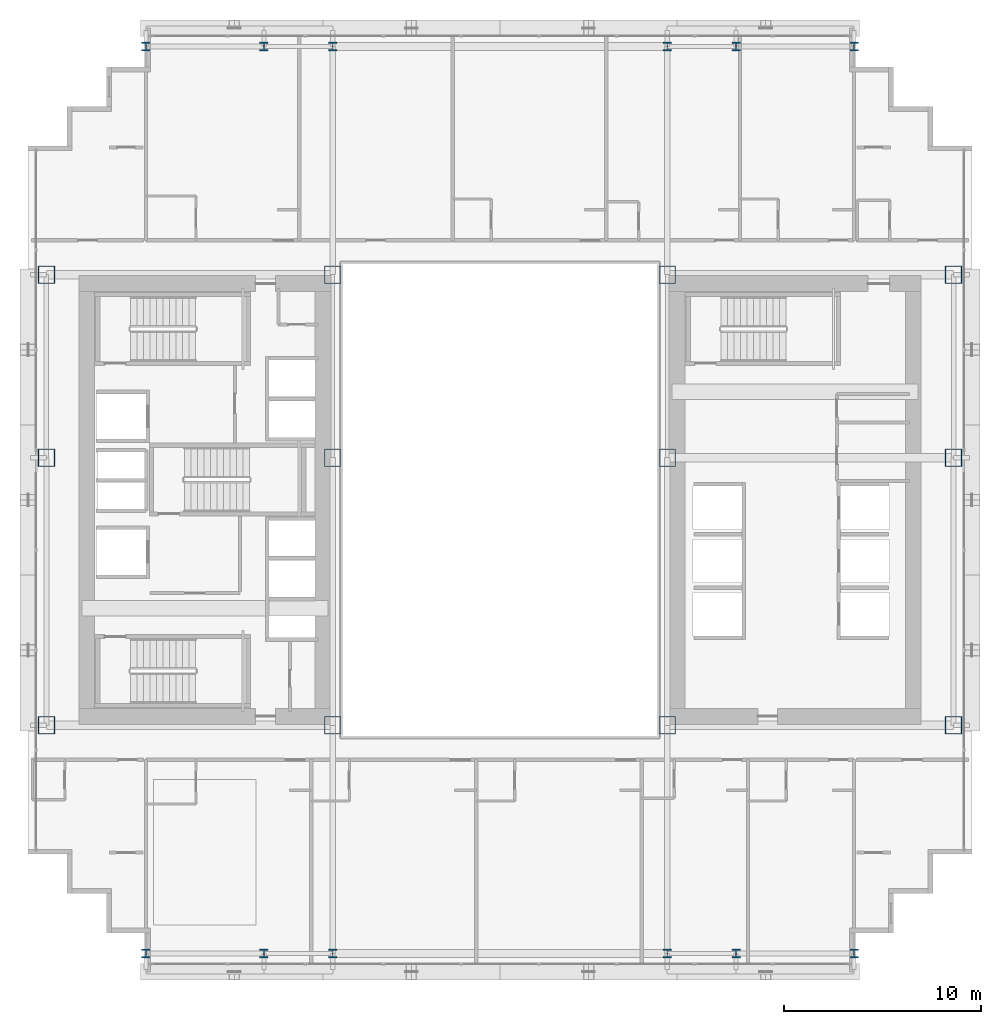
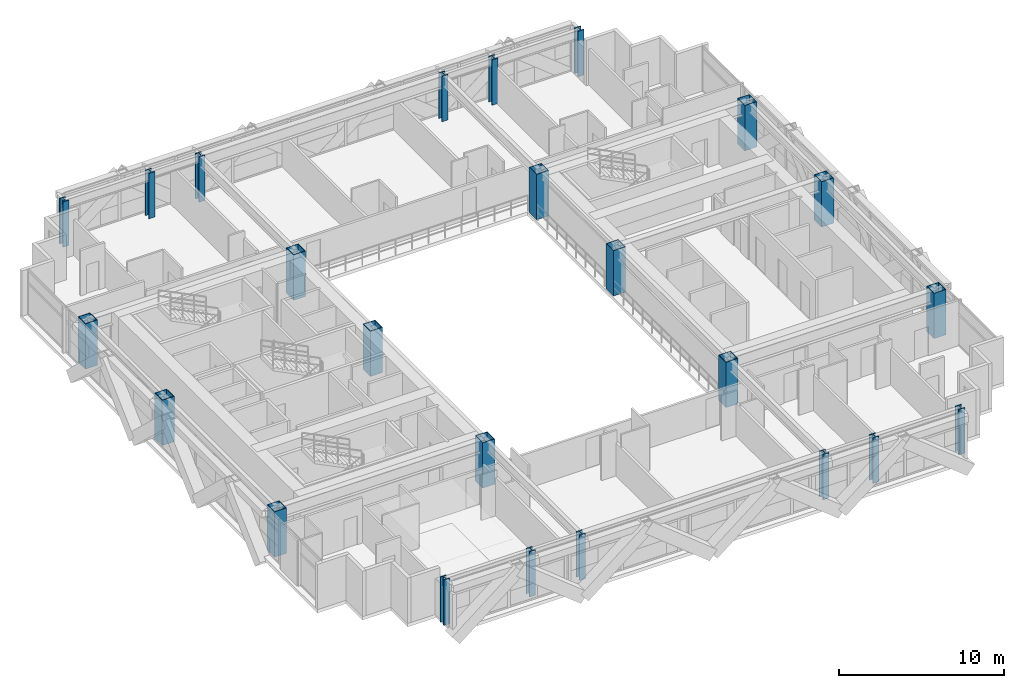
# One storey, part 1 of 35: 24 columns.
"""IFC4 building model written with IfcOpenShell, lengths in metres."""

from ifc_helpers import new_model, si_unit, direction, frame, origin, origin_2d, place, context, subcontext, project, spatial, hollow_rectangle, i_section, extrude, source, transform, mapped, material, material_profile, profile_set, type_object, element, save


model = new_model("IFC4")

# Units and contexts
model_context = context("Model", 3, precision=1e-05, world=origin(), true_north=direction((0.0, 1.0)))
body_context = subcontext(model_context, "Body", "Model", "MODEL_VIEW")
ifc_project = project(units=[si_unit("LENGTHUNIT", "METRE"), si_unit("AREAUNIT", "SQUARE_METRE"), si_unit("VOLUMEUNIT", "CUBIC_METRE"), si_unit("PLANEANGLEUNIT", "RADIAN"), si_unit("MASSUNIT", "GRAM", prefix="KILO")], contexts=[model_context])

# Site, building, storey
site_placement = place(None, origin())
site = spatial("IfcSite", under=ifc_project, at=site_placement, CompositionType="ELEMENT")
building_placement = place(site_placement, origin())
building = spatial("IfcBuilding", under=site, at=building_placement, Name="Ocotamira Hotel", CompositionType="ELEMENT")
storey_placement = place(building_placement, frame((0.0, 0.0, 63.60009765625)))
storey = spatial("IfcBuildingStorey", under=building, at=storey_placement, Name="L15", CompositionType="ELEMENT", Elevation=63.60009765625)

# Columns
ifc_material = material(Name="Steel ASTM A913 Grade 65", Category="steel")
ifc_material_profile_1 = material_profile(ifc_material, hollow_rectangle(XDim=0.85009765625, YDim=0.89990234375, WallThickness=0.0400390625, at=origin_2d()), Name="BOX900X850X40")
ifc_profile_set_1 = profile_set([ifc_material_profile_1], Name="Steel ASTM A913 Grade 65")
column_type_1 = type_object("IfcColumnType", Name="COL-BOX900", PredefinedType="COLUMN", material=ifc_profile_set_1)
shared_shape_1 = source(origin(), body_context, "Body", "SweptSolid", [
    extrude(hollow_rectangle(XDim=0.85009765625, YDim=0.89990234375, WallThickness=0.0400390625, at=origin_2d()), origin(), (0.0, 0.0, 1.0), 3.349853515625),
])
for number, where, z_axis, x_axis, name in (
    (1, (8.949951171875, 14.550048828125, 0.0), (0.0, 0.0, 1.0), (1.0, 0.0, 0.0), "L15 Column TW8_14"),
    (2, (23.5, 14.550048828125, 0.0), (0.0, 0.0, 1.0), (1.0, 0.0, 0.0), "L15 Column TW23_14"),
    (3, (40.5, 14.550048828125, 0.0), (0.0, 0.0, 1.0), (1.0, 0.0, 0.0), "L15 Column TE40_14"),
    (4, (55.050048828125, 14.550048828125, 0.0), (0.0, 0.0, 1.0), (1.0, 0.0, 0.0), "L15 Column TE55_14"),
    (5, (8.949951171875, 28.14990234375, 0.0), (0.0, 0.0, 1.0), (1.0, 0.0, 0.0), "L15 Column TW8_28"),
    (6, (23.5, 28.14990234375, 0.0), (0.0, 0.0, 1.0), (1.0, 0.0, 0.0), "L15 Column TW23_28"),
    (7, (40.5, 28.14990234375, 0.0), (0.0, 0.0, 1.0), (1.0, 0.0, 0.0), "L15 Column TE40_28"),
    (8, (55.050048828125, 28.14990234375, 0.0), (0.0, 0.0, 1.0), (1.0, 0.0, 0.0), "L15 Column TE55_28"),
    (9, (8.949951171875, 37.449951171875, 0.0), (0.0, 0.0, 1.0), (1.0, 0.0, 0.0), "L15 Column TW8_37"),
    (10, (23.5, 37.449951171875, 0.0), (0.0, 0.0, 1.0), (1.0, 0.0, 0.0), "L15 Column TW23_37"),
    (11, (40.5, 37.449951171875, 0.0), (0.0, 0.0, 1.0), (1.0, 0.0, 0.0), "L15 Column TE40_37"),
    (12, (55.050048828125, 37.449951171875, 0.0), (0.0, 0.0, 1.0), (1.0, 0.0, 0.0), "L15 Column TE55_37"),
):
    element("IfcColumn", number, at=place(storey_placement, frame(where, z_axis=z_axis, x_axis=x_axis)), inside=storey, type_object=column_type_1, Name=name, PredefinedType="COLUMN", context=body_context, shape_type="MappedRepresentation", body=[
        mapped(shared_shape_1, transform((0.0, 0.0, 0.0), scale=1.0)),
    ])
ifc_material_profile_2 = material_profile(ifc_material, i_section(OverallWidth=0.422119140625, OverallDepth=0.465087890625, WebThickness=0.044921875, FlangeThickness=0.072509765625, FilletRadius=0.02490234375, at=origin_2d()), Name="W14X398")
ifc_profile_set_2 = profile_set([ifc_material_profile_2], Name="Steel ASTM A913 Grade 65")
column_type_2 = type_object("IfcColumnType", Name="COL-W14X398", PredefinedType="COLUMN", material=ifc_profile_set_2)
shared_shape_2 = source(origin(), body_context, "Body", "SweptSolid", [
    extrude(i_section(OverallWidth=0.422119140625, OverallDepth=0.465087890625, WebThickness=0.044921875, FlangeThickness=0.072509765625, FilletRadius=0.02490234375, at=origin_2d()), origin(), (0.0, 0.0, 1.0), 3.349853515625),
])
for number, where, z_axis, x_axis, name in (
    (13, (14.0, 2.949951171875, 0.0), (0.0, 0.0, 1.0), (1.0, 0.0, 0.0), "L15 Column NSP1_14"),
    (14, (20.0, 2.949951171875, 0.0), (0.0, 0.0, 1.0), (1.0, 0.0, 0.0), "L15 Column NSP1_20"),
    (15, (23.5, 2.949951171875, 0.0), (0.0, 0.0, 1.0), (1.0, 0.0, 0.0), "L15 Column NSP1_23"),
    (16, (40.5, 2.949951171875, 0.0), (0.0, 0.0, 1.0), (1.0, 0.0, 0.0), "L15 Column NSP1_40"),
    (17, (44.0, 2.949951171875, 0.0), (0.0, 0.0, 1.0), (1.0, 0.0, 0.0), "L15 Column NSP1_44"),
    (18, (50.0, 2.949951171875, 0.0), (0.0, 0.0, 1.0), (1.0, 0.0, 0.0), "L15 Column NSP1_50"),
    (19, (14.0, 49.050048828125, 0.0), (0.0, 0.0, 1.0), (1.0, 0.0, 0.0), "L15 Column NSP2_14"),
    (20, (20.0, 49.050048828125, 0.0), (0.0, 0.0, 1.0), (1.0, 0.0, 0.0), "L15 Column NSP2_20"),
    (21, (23.5, 49.050048828125, 0.0), (0.0, 0.0, 1.0), (1.0, 0.0, 0.0), "L15 Column NSP2_23"),
    (22, (40.5, 49.050048828125, 0.0), (0.0, 0.0, 1.0), (1.0, 0.0, 0.0), "L15 Column NSP2_40"),
    (23, (44.0, 49.050048828125, 0.0), (0.0, 0.0, 1.0), (1.0, 0.0, 0.0), "L15 Column NSP2_44"),
    (24, (50.0, 49.050048828125, 0.0), (0.0, 0.0, 1.0), (1.0, 0.0, 0.0), "L15 Column NSP2_50"),
):
    element("IfcColumn", number, at=place(storey_placement, frame(where, z_axis=z_axis, x_axis=x_axis)), inside=storey, type_object=column_type_2, Name=name, PredefinedType="COLUMN", context=body_context, shape_type="MappedRepresentation", body=[
        mapped(shared_shape_2, transform((0.0, 0.0, 0.0), scale=1.0)),
    ])

save(model, "model.ifc")
